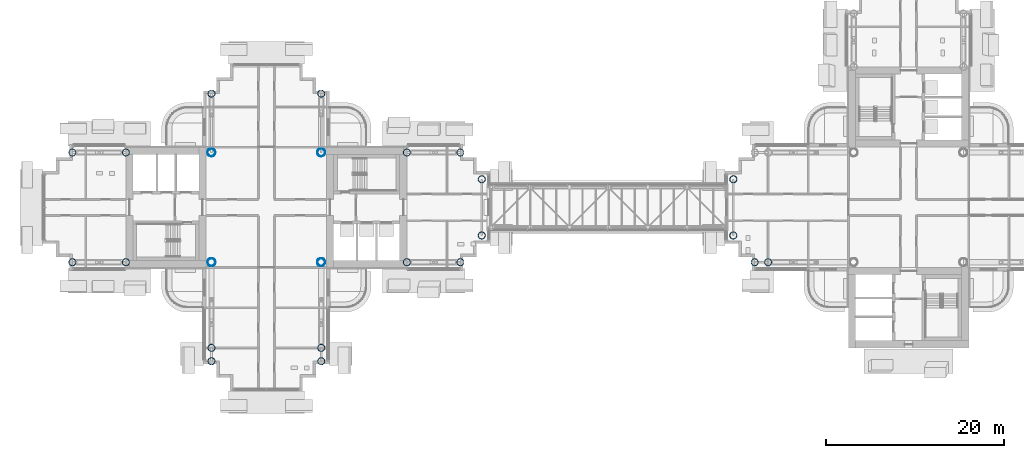
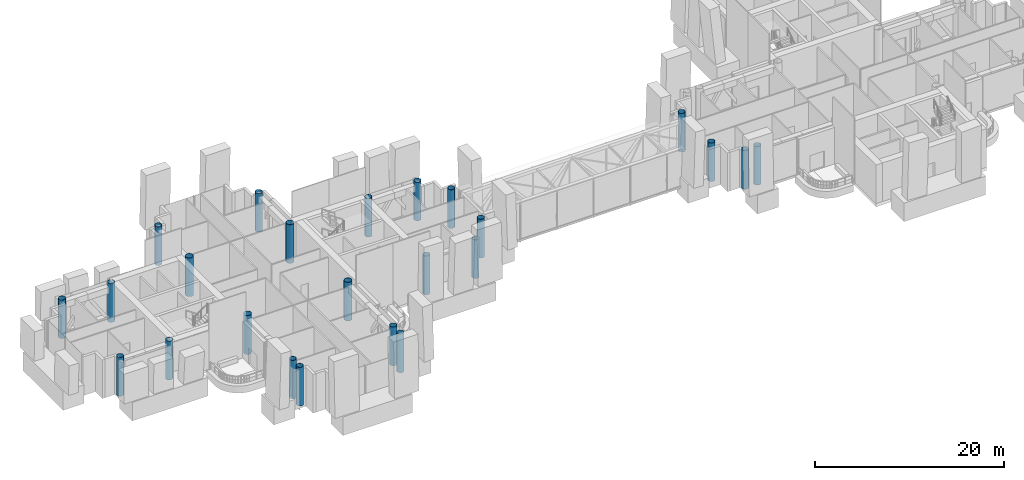
# One storey, part 1 of 34: 24 columns.
"""IFC4 building model written with IfcOpenShell, lengths in metres."""

from ifc_helpers import new_model, si_unit, direction, frame, origin, origin_2d, place, context, subcontext, project, spatial, hollow_circle, extrude, material, material_profile, profile_set, type_object, element, save


model = new_model("IFC4")

# Units and contexts
model_context = context("Model", 3, precision=1e-05, world=origin(), true_north=direction((0.0, 1.0)))
body_context = subcontext(model_context, "Body", "Model", "MODEL_VIEW")
ifc_project = project(units=[si_unit("LENGTHUNIT", "METRE"), si_unit("AREAUNIT", "SQUARE_METRE"), si_unit("VOLUMEUNIT", "CUBIC_METRE"), si_unit("PLANEANGLEUNIT", "RADIAN"), si_unit("MASSUNIT", "GRAM", prefix="KILO")], contexts=[model_context])

# Site, building, storey
site_placement = place(None, origin())
site = spatial("IfcSite", under=ifc_project, at=site_placement, CompositionType="ELEMENT")
building_placement = place(site_placement, origin())
building = spatial("IfcBuilding", under=site, at=building_placement, Name="Ipe Terrace Towers", CompositionType="ELEMENT")
storey_placement = place(building_placement, frame((0.0, 0.0, 128.699951171875)))
storey = spatial("IfcBuildingStorey", under=building, at=storey_placement, Name="L35", CompositionType="ELEMENT", Elevation=128.699951171875)

# Columns
ifc_material_1 = material(Name="Steel S355 tube with Concrete C60/75 fill", Category="concrete")
ifc_material_profile_1 = material_profile(ifc_material_1, hollow_circle(Radius=0.39990234375, WallThickness=0.028076171875, at=origin_2d()), Name="CHS-800x28")
ifc_profile_set_1 = profile_set([ifc_material_profile_1], Name="Steel S355 tube with Concrete C60/75 fill")
column_type_1 = type_object("IfcColumnType", Name="CH09 COLUMN CHS-800x28", PredefinedType="COLUMN", material=ifc_profile_set_1)
for number, where, z_axis, x_axis, name in (
    (1, (-20.25, -6.14990234375, 0.0), (0.0, 0.0, 1.0), (1.0, 0.0, 0.0), "Column T1-C-A01"),
    (2, (-20.25, 6.14990234375, 0.0), (0.0, 0.0, 1.0), (1.0, 0.0, 0.0), "Column T1-C-A02"),
    (3, (-14.25, -6.14990234375, 0.0), (0.0, 0.0, 1.0), (1.0, 0.0, 0.0), "Column T1-C-A03"),
    (4, (-14.25, 6.14990234375, 0.0), (0.0, 0.0, 1.0), (1.0, 0.0, 0.0), "Column T1-C-A04"),
    (5, (-11.85009765625, -3.14990234375, 0.0), (0.0, 0.0, 1.0), (1.0, 0.0, 0.0), "Column T1-C-A05"),
    (6, (-11.85009765625, 3.14990234375, 0.0), (0.0, 0.0, 1.0), (1.0, 0.0, 0.0), "Column T1-C-A06"),
    (7, (-29.85009765625, 12.75, 0.0), (0.0, 0.0, 1.0), (1.0, 0.0, 0.0), "Column T1-C-B01"),
    (8, (-42.14990234375, 12.75, 0.0), (0.0, 0.0, 1.0), (1.0, 0.0, 0.0), "Column T1-C-B02"),
    (9, (-51.75, -6.14990234375, 0.0), (0.0, 0.0, 1.0), (1.0, 0.0, 0.0), "Column T1-C-C01"),
    (10, (-51.75, 6.14990234375, 0.0), (0.0, 0.0, 1.0), (1.0, 0.0, 0.0), "Column T1-C-C02"),
    (11, (-57.75, -6.14990234375, 0.0), (0.0, 0.0, 1.0), (1.0, 0.0, 0.0), "Column T1-C-C03"),
    (12, (-57.75, 6.14990234375, 0.0), (0.0, 0.0, 1.0), (1.0, 0.0, 0.0), "Column T1-C-C04"),
    (13, (-42.14990234375, -15.75, 0.0), (0.0, 0.0, 1.0), (1.0, 0.0, 0.0), "Column T1-C-D03"),
    (14, (-29.85009765625, -15.75, 0.0), (0.0, 0.0, 1.0), (1.0, 0.0, 0.0), "Column T1-C-D04"),
    (15, (-42.14990234375, -17.25, 0.0), (0.0, 0.0, 1.0), (1.0, 0.0, 0.0), "Column T1-C-D05"),
    (16, (-29.85009765625, -17.25, 0.0), (0.0, 0.0, 1.0), (1.0, 0.0, 0.0), "Column T1-C-D06"),
    (17, (20.25, -6.14990234375, 0.0), (0.0, 0.0, 1.0), (1.0, 0.0, 0.0), "Column T2-C-B04"),
    (18, (18.75, -6.14990234375, 0.0), (0.0, 0.0, 1.0), (1.0, 0.0, 0.0), "Column T2-C-B06"),
    (19, (16.35009765625, 3.14990234375, 0.0), (0.0, 0.0, 1.0), (1.0, 0.0, 0.0), "Column T2-C-B07"),
    (20, (16.35009765625, -3.14990234375, 0.0), (0.0, 0.0, 1.0), (1.0, 0.0, 0.0), "Column T2-C-B08"),
):
    element("IfcColumn", number, at=place(storey_placement, frame(where, z_axis=z_axis, x_axis=x_axis)), inside=storey, type_object=column_type_1, Name=name, PredefinedType="COLUMN", context=body_context, shape_type="SweptSolid", body=[
        extrude(hollow_circle(Radius=0.39990234375, WallThickness=0.028076171875, at=origin_2d()), origin(), (0.0, 0.0, 1.0), 5.0),
    ])
ifc_material_2 = material(Name="Steel S355 tube with Concrete C60/75 fill", Category="concrete")
ifc_material_profile_2 = material_profile(ifc_material_2, hollow_circle(Radius=0.449951171875, WallThickness=0.031982421875, at=origin_2d()), Name="CHS-900x32")
ifc_profile_set_2 = profile_set([ifc_material_profile_2], Name="Steel S355 tube with Concrete C60/75 fill")
column_type_2 = type_object("IfcColumnType", Name="CH10 COLUMN CHS-900x32", PredefinedType="COLUMN", material=ifc_profile_set_2)
for number, where, z_axis, x_axis, name in (
    (21, (-42.14990234375, -6.14990234375, 0.0), (0.0, 0.0, 1.0), (1.0, 0.0, 0.0), "Column T1-C-E01"),
    (22, (-29.85009765625, -6.14990234375, 0.0), (0.0, 0.0, 1.0), (1.0, 0.0, 0.0), "Column T1-C-E02"),
    (23, (-29.85009765625, 6.14990234375, 0.0), (0.0, 0.0, 1.0), (1.0, 0.0, 0.0), "Column T1-C-E03"),
    (24, (-42.14990234375, 6.14990234375, 0.0), (0.0, 0.0, 1.0), (1.0, 0.0, 0.0), "Column T1-C-E04"),
):
    element("IfcColumn", number, at=place(storey_placement, frame(where, z_axis=z_axis, x_axis=x_axis)), inside=storey, type_object=column_type_2, Name=name, PredefinedType="COLUMN", context=body_context, shape_type="SweptSolid", body=[
        extrude(hollow_circle(Radius=0.449951171875, WallThickness=0.031982421875, at=origin_2d()), origin(), (0.0, 0.0, 1.0), 5.0),
    ])

save(model, "model.ifc")
